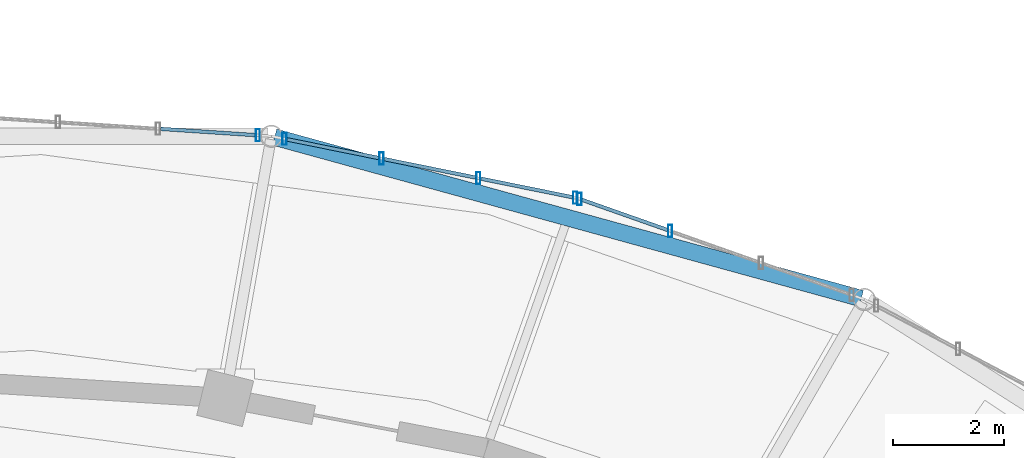
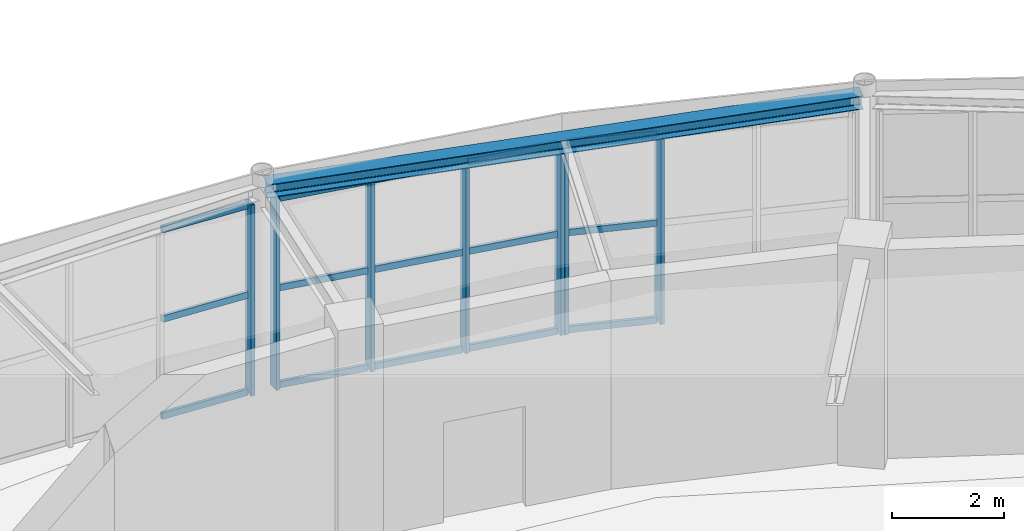
# One storey, part 52 of 100: 22 members, 1 beam, 3 elements without a shape of their own.
"""IFC4 building model written with IfcOpenShell, lengths in metres."""

from ifc_helpers import new_model, si_unit, direction, frame, origin, origin_2d, place, context, subcontext, project, spatial, hollow_rectangle, i_section, extrude, material, material_profile, profile_set, type_object, element, aggregate, save


model = new_model("IFC4")

# Units and contexts
model_context = context("Model", 3, precision=1e-05, world=origin(), true_north=direction((0.0, 1.0)))
body_context = subcontext(model_context, "Body", "Model", "MODEL_VIEW")
ifc_project = project(units=[si_unit("LENGTHUNIT", "METRE"), si_unit("AREAUNIT", "SQUARE_METRE"), si_unit("VOLUMEUNIT", "CUBIC_METRE"), si_unit("PLANEANGLEUNIT", "RADIAN"), si_unit("MASSUNIT", "GRAM", prefix="KILO")], contexts=[model_context])

# Site, building, storey
site_placement = place(None, origin())
site = spatial("IfcSite", under=ifc_project, at=site_placement, CompositionType="ELEMENT")
building_placement = place(site_placement, origin())
building = spatial("IfcBuilding", under=site, at=building_placement, Name="Tarnveldt Headland Concert Hall", CompositionType="ELEMENT")
storey_placement = place(building_placement, frame((0.0, 0.0, 4.800048828125)))
storey = spatial("IfcBuildingStorey", under=building, at=storey_placement, Name="L01", CompositionType="ELEMENT", Elevation=4.800048828125)

# Curtain wall, members
ifc_material_1 = material(Name="Marine-anodised aluminium EN AW-6063-T6", Category="aluminium")
curtain_wall_type = type_object("IfcCurtainWallType", Name="CW-F2", PredefinedType="NOTDEFINED", material=ifc_material_1)
curtain_wall_1_placement = place(storey_placement, origin())
curtain_wall_1 = element("IfcCurtainWall", 1, at=curtain_wall_1_placement, inside=storey, type_object=curtain_wall_type, Name="Curtain wall CW-L01-033", PredefinedType="NOTDEFINED")
ifc_material_profile_1 = material_profile(ifc_material_1, hollow_rectangle(XDim=0.074951171875, YDim=0.219970703125, WallThickness=0.0048828125, at=origin_2d()), Name="ALU MULLION 75x220x5", Category="aluminium")
ifc_profile_set_1 = profile_set([ifc_material_profile_1], Name="Marine-anodised aluminium EN AW-6063-T6")
member_type_1 = type_object("IfcMemberType", Name="ML-200", PredefinedType="MULLION", material=ifc_profile_set_1)
member_1_placement = place(storey_placement, frame((96.394287109375, 77.21337890625, 0.0), z_axis=(0.0, 0.0, 1.0), x_axis=(1.0, 0.0, 0.0)))
member_1 = element("IfcMember", 2, at=member_1_placement, type_object=member_type_1, Name="Mullion CW-L01-033-3", PredefinedType="MULLION", context=body_context, shape_type="SweptSolid", body=[
    extrude(hollow_rectangle(XDim=0.074951171875, YDim=0.219970703125, WallThickness=0.0048828125, at=origin_2d()), origin(), (0.0, 0.0, 1.0), 4.159912109375),
])
member_2_placement = place(storey_placement, frame((94.756103515625, 77.791015625, 0.0), z_axis=(0.0, 0.0, 1.0), x_axis=(1.0, 0.0, 0.0)))
member_2 = element("IfcMember", 3, at=member_2_placement, type_object=member_type_1, Name="Mullion CW-L01-033-4", PredefinedType="MULLION", context=body_context, shape_type="SweptSolid", body=[
    extrude(hollow_rectangle(XDim=0.074951171875, YDim=0.219970703125, WallThickness=0.0048828125, at=origin_2d()), origin(), (0.0, 0.0, 1.0), 4.159912109375),
])

curtain_wall_2_placement = place(storey_placement, origin())
curtain_wall_2 = element("IfcCurtainWall", 4, at=curtain_wall_2_placement, inside=storey, type_object=curtain_wall_type, Name="Curtain wall CW-L01-034", PredefinedType="NOTDEFINED")
member_3_placement = place(storey_placement, frame((94.67919921875, 77.812255859375, 0.0), z_axis=(0.0, 0.0, 1.0), x_axis=(1.0, 0.0, 0.0)))
member_3 = element("IfcMember", 5, at=member_3_placement, type_object=member_type_1, Name="Mullion CW-L01-034-1", PredefinedType="MULLION", context=body_context, shape_type="SweptSolid", body=[
    extrude(hollow_rectangle(XDim=0.074951171875, YDim=0.219970703125, WallThickness=0.0048828125, at=origin_2d()), origin(), (0.0, 0.0, 1.0), 4.159912109375),
])
member_4_placement = place(storey_placement, frame((92.930908203125, 78.16650390625, 0.0), z_axis=(0.0, 0.0, 1.0), x_axis=(1.0, 0.0, 0.0)))
member_4 = element("IfcMember", 6, at=member_4_placement, type_object=member_type_1, Name="Mullion CW-L01-034-2", PredefinedType="MULLION", context=body_context, shape_type="SweptSolid", body=[
    extrude(hollow_rectangle(XDim=0.074951171875, YDim=0.219970703125, WallThickness=0.0048828125, at=origin_2d()), origin(), (0.0, 0.0, 1.0), 4.159912109375),
])
member_5_placement = place(storey_placement, frame((91.182373046875, 78.520751953125, 0.0), z_axis=(0.0, 0.0, 1.0), x_axis=(1.0, 0.0, 0.0)))
member_5 = element("IfcMember", 7, at=member_5_placement, type_object=member_type_1, Name="Mullion CW-L01-034-3", PredefinedType="MULLION", context=body_context, shape_type="SweptSolid", body=[
    extrude(hollow_rectangle(XDim=0.074951171875, YDim=0.219970703125, WallThickness=0.0048828125, at=origin_2d()), origin(), (0.0, 0.0, 1.0), 4.159912109375),
])
member_6_placement = place(storey_placement, frame((89.43408203125, 78.875, 0.0), z_axis=(0.0, 0.0, 1.0), x_axis=(1.0, 0.0, 0.0)))
member_6 = element("IfcMember", 8, at=member_6_placement, type_object=member_type_1, Name="Mullion CW-L01-034-4", PredefinedType="MULLION", context=body_context, shape_type="SweptSolid", body=[
    extrude(hollow_rectangle(XDim=0.074951171875, YDim=0.219970703125, WallThickness=0.0048828125, at=origin_2d()), origin(), (0.0, 0.0, 1.0), 4.159912109375),
])

# Curtain wall, member
curtain_wall_3_placement = place(storey_placement, origin())
curtain_wall_3 = element("IfcCurtainWall", 9, at=curtain_wall_3_placement, inside=storey, type_object=curtain_wall_type, Name="Curtain wall CW-L01-035", PredefinedType="NOTDEFINED")
member_7_placement = place(storey_placement, frame((88.952880859375, 78.939208984375, 0.0), z_axis=(0.0, 0.0, 1.0), x_axis=(1.0, 0.0, 0.0)))
member_7 = element("IfcMember", 10, at=member_7_placement, type_object=member_type_1, Name="Mullion CW-L01-035-1", PredefinedType="MULLION", context=body_context, shape_type="SweptSolid", body=[
    extrude(hollow_rectangle(XDim=0.074951171875, YDim=0.219970703125, WallThickness=0.0048828125, at=origin_2d()), origin(), (0.0, 0.0, 1.0), 4.159912109375),
])

# Beam
ifc_material_2 = material(Name="Steel S355", Category="steel")
ifc_material_profile_2 = material_profile(ifc_material_2, i_section(OverallWidth=0.300048828125, OverallDepth=0.2900390625, WebThickness=0.008544921875, FlangeThickness=0.013916015625, FilletRadius=0.027099609375, at=origin_2d()), Name="HEA300", Category="steel")
ifc_profile_set_2 = profile_set([ifc_material_profile_2], Name="Steel S355")
beam_type = type_object("IfcBeamType", Name="SB-HEA300", PredefinedType="SPANDREL", material=ifc_profile_set_2)
beam_placement = place(storey_placement, frame((99.84228515625, 75.993408203125, 4.39501953125), z_axis=(-0.964161617091, 0.265315616065, 0.0), x_axis=(-0.265315616065, -0.964161617091, 0.0)))
element("IfcBeam", 11, at=beam_placement, inside=storey, type_object=beam_type, Name="Framing beam L01-687", PredefinedType="SPANDREL", context=body_context, shape_type="SweptSolid", body=[
    extrude(i_section(OverallWidth=0.300048828125, OverallDepth=0.2900390625, WebThickness=0.008544921875, FlangeThickness=0.013916015625, FilletRadius=0.027099609375, at=origin_2d()), origin(), (0.0, 0.0, 1.0), 10.982421875),
])

# Member
ifc_material_profile_3 = material_profile(ifc_material_1, hollow_rectangle(XDim=0.06494140625, YDim=0.139892578125, WallThickness=0.00390625, at=origin_2d()), Name="ALU TRANSOM 65x140x4", Category="aluminium")
ifc_profile_set_3 = profile_set([ifc_material_profile_3], Name="Marine-anodised aluminium EN AW-6063-T6")
member_type_2 = type_object("IfcMemberType", Name="TR-140", PredefinedType="MEMBER", material=ifc_profile_set_3)
member_8_placement = place(storey_placement, frame((96.347412109375, 77.22998046875, 0.050048828125), z_axis=(-0.943086608154, 0.332547213971, 0.0), x_axis=(-0.332547213971, -0.943086608154, 0.0)))
member_8 = element("IfcMember", 12, at=member_8_placement, type_object=member_type_2, Name="Transom CW-L01-033-3-1", PredefinedType="MEMBER", context=body_context, shape_type="SweptSolid", body=[
    extrude(hollow_rectangle(XDim=0.06494140625, YDim=0.139892578125, WallThickness=0.00390625, at=origin_2d()), origin(), (0.0, 0.0, 1.0), 1.637939453125),
])

member_9_placement = place(storey_placement, frame((96.347412109375, 77.22998046875, 2.1630859375), z_axis=(-0.943086608154, 0.332547213971, 0.0), x_axis=(-0.332547213971, -0.943086608154, 0.0)))
member_9 = element("IfcMember", 13, at=member_9_placement, type_object=member_type_2, Name="Transom CW-L01-033-3-2", PredefinedType="MEMBER", context=body_context, shape_type="SweptSolid", body=[
    extrude(hollow_rectangle(XDim=0.06494140625, YDim=0.139892578125, WallThickness=0.00390625, at=origin_2d()), origin(), (0.0, 0.0, 1.0), 1.637939453125),
])

member_10_placement = place(storey_placement, frame((96.347412109375, 77.22998046875, 4.10986328125), z_axis=(-0.943086608154, 0.332547213971, 0.0), x_axis=(-0.332547213971, -0.943086608154, 0.0)))
member_10 = element("IfcMember", 14, at=member_10_placement, type_object=member_type_2, Name="Transom CW-L01-033-3-3", PredefinedType="MEMBER", context=body_context, shape_type="SweptSolid", body=[
    extrude(hollow_rectangle(XDim=0.06494140625, YDim=0.139892578125, WallThickness=0.00390625, at=origin_2d()), origin(), (0.0, 0.0, 1.0), 1.637939453125),
])

aggregate(curtain_wall_1, [member_1, member_2, member_8, member_9, member_10])

member_11_placement = place(storey_placement, frame((94.630615234375, 77.822021484375, 0.050048828125), z_axis=(-0.980070264474, 0.198651143198, 0.0), x_axis=(-0.198651143198, -0.980070264474, 0.0)))
member_11 = element("IfcMember", 15, at=member_11_placement, type_object=member_type_2, Name="Transom CW-L01-034-1-1", PredefinedType="MEMBER", context=body_context, shape_type="SweptSolid", body=[
    extrude(hollow_rectangle(XDim=0.06494140625, YDim=0.139892578125, WallThickness=0.00390625, at=origin_2d()), origin(), (0.0, 0.0, 1.0), 1.68505859375),
])

member_12_placement = place(storey_placement, frame((94.630615234375, 77.822021484375, 2.1630859375), z_axis=(-0.980070264474, 0.198651143198, 0.0), x_axis=(-0.198651143198, -0.980070264474, 0.0)))
member_12 = element("IfcMember", 16, at=member_12_placement, type_object=member_type_2, Name="Transom CW-L01-034-1-2", PredefinedType="MEMBER", context=body_context, shape_type="SweptSolid", body=[
    extrude(hollow_rectangle(XDim=0.06494140625, YDim=0.139892578125, WallThickness=0.00390625, at=origin_2d()), origin(), (0.0, 0.0, 1.0), 1.68505859375),
])

member_13_placement = place(storey_placement, frame((94.630615234375, 77.822021484375, 4.10986328125), z_axis=(-0.980070264474, 0.198651143198, 0.0), x_axis=(-0.198651143198, -0.980070264474, 0.0)))
member_13 = element("IfcMember", 17, at=member_13_placement, type_object=member_type_2, Name="Transom CW-L01-034-1-3", PredefinedType="MEMBER", context=body_context, shape_type="SweptSolid", body=[
    extrude(hollow_rectangle(XDim=0.06494140625, YDim=0.139892578125, WallThickness=0.00390625, at=origin_2d()), origin(), (0.0, 0.0, 1.0), 1.68505859375),
])

member_14_placement = place(storey_placement, frame((92.88232421875, 78.17626953125, 0.050048828125), z_axis=(-0.980070264474, 0.198651143198, 0.0), x_axis=(-0.198651143198, -0.980070264474, 0.0)))
member_14 = element("IfcMember", 18, at=member_14_placement, type_object=member_type_2, Name="Transom CW-L01-034-2-1", PredefinedType="MEMBER", context=body_context, shape_type="SweptSolid", body=[
    extrude(hollow_rectangle(XDim=0.06494140625, YDim=0.139892578125, WallThickness=0.00390625, at=origin_2d()), origin(), (0.0, 0.0, 1.0), 1.68505859375),
])

member_15_placement = place(storey_placement, frame((92.88232421875, 78.17626953125, 2.1630859375), z_axis=(-0.980070264474, 0.198651143198, 0.0), x_axis=(-0.198651143198, -0.980070264474, 0.0)))
member_15 = element("IfcMember", 19, at=member_15_placement, type_object=member_type_2, Name="Transom CW-L01-034-2-2", PredefinedType="MEMBER", context=body_context, shape_type="SweptSolid", body=[
    extrude(hollow_rectangle(XDim=0.06494140625, YDim=0.139892578125, WallThickness=0.00390625, at=origin_2d()), origin(), (0.0, 0.0, 1.0), 1.68505859375),
])

member_16_placement = place(storey_placement, frame((92.88232421875, 78.17626953125, 4.10986328125), z_axis=(-0.980070264474, 0.198651143198, 0.0), x_axis=(-0.198651143198, -0.980070264474, 0.0)))
member_16 = element("IfcMember", 20, at=member_16_placement, type_object=member_type_2, Name="Transom CW-L01-034-2-3", PredefinedType="MEMBER", context=body_context, shape_type="SweptSolid", body=[
    extrude(hollow_rectangle(XDim=0.06494140625, YDim=0.139892578125, WallThickness=0.00390625, at=origin_2d()), origin(), (0.0, 0.0, 1.0), 1.68505859375),
])

member_17_placement = place(storey_placement, frame((91.1337890625, 78.530517578125, 0.050048828125), z_axis=(-0.980092754065, 0.19854015571, 0.0), x_axis=(-0.19854015571, -0.980092754065, 0.0)))
member_17 = element("IfcMember", 21, at=member_17_placement, type_object=member_type_2, Name="Transom CW-L01-034-3-1", PredefinedType="MEMBER", context=body_context, shape_type="SweptSolid", body=[
    extrude(hollow_rectangle(XDim=0.06494140625, YDim=0.139892578125, WallThickness=0.00390625, at=origin_2d()), origin(), (0.0, 0.0, 1.0), 1.6845703125),
])

member_18_placement = place(storey_placement, frame((91.1337890625, 78.530517578125, 2.1630859375), z_axis=(-0.980092754065, 0.19854015571, 0.0), x_axis=(-0.19854015571, -0.980092754065, 0.0)))
member_18 = element("IfcMember", 22, at=member_18_placement, type_object=member_type_2, Name="Transom CW-L01-034-3-2", PredefinedType="MEMBER", context=body_context, shape_type="SweptSolid", body=[
    extrude(hollow_rectangle(XDim=0.06494140625, YDim=0.139892578125, WallThickness=0.00390625, at=origin_2d()), origin(), (0.0, 0.0, 1.0), 1.6845703125),
])

member_19_placement = place(storey_placement, frame((91.1337890625, 78.530517578125, 4.10986328125), z_axis=(-0.980092754065, 0.19854015571, 0.0), x_axis=(-0.19854015571, -0.980092754065, 0.0)))
member_19 = element("IfcMember", 23, at=member_19_placement, type_object=member_type_2, Name="Transom CW-L01-034-3-3", PredefinedType="MEMBER", context=body_context, shape_type="SweptSolid", body=[
    extrude(hollow_rectangle(XDim=0.06494140625, YDim=0.139892578125, WallThickness=0.00390625, at=origin_2d()), origin(), (0.0, 0.0, 1.0), 1.6845703125),
])

aggregate(curtain_wall_2, [member_3, member_4, member_5, member_6, member_11, member_12, member_13, member_14, member_15, member_16, member_17, member_18, member_19])

member_20_placement = place(storey_placement, frame((88.903564453125, 78.942626953125, 0.050048828125), z_axis=(-0.997820408488, 0.065988123207, 0.0), x_axis=(-0.065988123207, -0.997820408488, 0.0)))
member_20 = element("IfcMember", 24, at=member_20_placement, type_object=member_type_2, Name="Transom CW-L01-035-1-1", PredefinedType="MEMBER", context=body_context, shape_type="SweptSolid", body=[
    extrude(hollow_rectangle(XDim=0.06494140625, YDim=0.139892578125, WallThickness=0.00390625, at=origin_2d()), origin(), (0.0, 0.0, 1.0), 1.709228515625),
])

member_21_placement = place(storey_placement, frame((88.903564453125, 78.942626953125, 2.1630859375), z_axis=(-0.997820408488, 0.065988123207, 0.0), x_axis=(-0.065988123207, -0.997820408488, 0.0)))
member_21 = element("IfcMember", 25, at=member_21_placement, type_object=member_type_2, Name="Transom CW-L01-035-1-2", PredefinedType="MEMBER", context=body_context, shape_type="SweptSolid", body=[
    extrude(hollow_rectangle(XDim=0.06494140625, YDim=0.139892578125, WallThickness=0.00390625, at=origin_2d()), origin(), (0.0, 0.0, 1.0), 1.709228515625),
])

member_22_placement = place(storey_placement, frame((88.903564453125, 78.942626953125, 4.10986328125), z_axis=(-0.997820408488, 0.065988123207, 0.0), x_axis=(-0.065988123207, -0.997820408488, 0.0)))
member_22 = element("IfcMember", 26, at=member_22_placement, type_object=member_type_2, Name="Transom CW-L01-035-1-3", PredefinedType="MEMBER", context=body_context, shape_type="SweptSolid", body=[
    extrude(hollow_rectangle(XDim=0.06494140625, YDim=0.139892578125, WallThickness=0.00390625, at=origin_2d()), origin(), (0.0, 0.0, 1.0), 1.709228515625),
])

aggregate(curtain_wall_3, [member_7, member_20, member_21, member_22])

save(model, "model.ifc")
